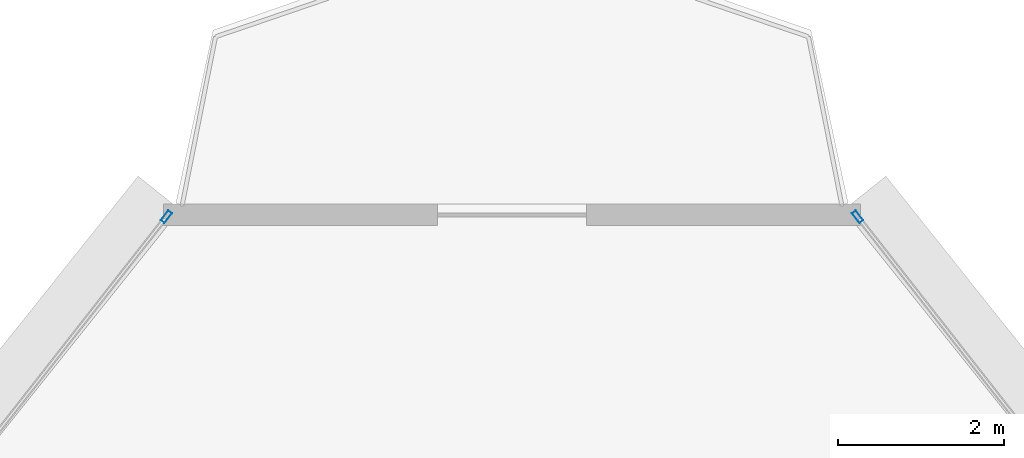
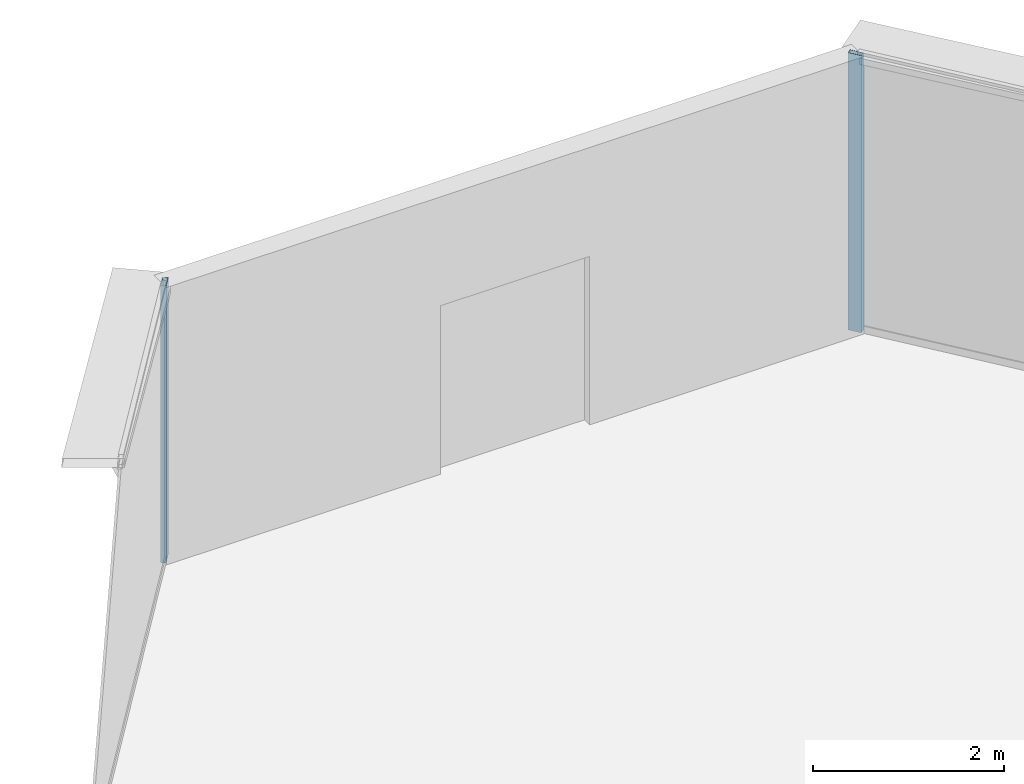
# One storey, part 26 of 38: 2 members, 2 elements without a shape of their own.
"""IFC4 building model written with IfcOpenShell, lengths in metres."""

from ifc_helpers import new_model, si_unit, direction, frame, origin, origin_2d, place, context, subcontext, project, spatial, hollow_rectangle, extrude, source, transform, mapped, material, layer, layer_set, material_profile, profile_set, type_object, element, aggregate, save


model = new_model("IFC4")

# Units and contexts
model_context = context("Model", 3, precision=1e-05, world=origin(), true_north=direction((0.0, 1.0)))
body_context = subcontext(model_context, "Body", "Model", "MODEL_VIEW")
ifc_project = project(units=[si_unit("LENGTHUNIT", "METRE"), si_unit("AREAUNIT", "SQUARE_METRE"), si_unit("VOLUMEUNIT", "CUBIC_METRE"), si_unit("PLANEANGLEUNIT", "RADIAN"), si_unit("MASSUNIT", "GRAM", prefix="KILO"), si_unit("THERMODYNAMICTEMPERATUREUNIT", "KELVIN"), si_unit("POWERUNIT", "WATT")], contexts=[model_context])

# Site, building, storey
site_placement = place(None, origin())
site = spatial("IfcSite", under=ifc_project, at=site_placement, CompositionType="ELEMENT")
building_placement = place(site_placement, origin())
building = spatial("IfcBuilding", under=site, at=building_placement, Name="Yunzhuo Pagoda Commons", CompositionType="ELEMENT")
storey_placement = place(building_placement, frame((0.0, 0.0, 203.760009765625)))
storey = spatial("IfcBuildingStorey", under=building, at=storey_placement, Name="L51", CompositionType="ELEMENT", Elevation=203.760009765625)

# Curtain wall, member
ifc_material = material(Name="Anodized aluminium 6063-T6", Category="aluminium")
ifc_layer = layer(ifc_material, 0.14990234375)
ifc_layer_set = layer_set([ifc_layer], Name="Anodized aluminium 6063-T6")
curtain_wall_type = type_object("IfcCurtainWallType", Name="CW-MID Mid-Zone Ribbon Curtain Wall", PredefinedType="NOTDEFINED", material=ifc_layer_set)
curtain_wall_1_placement = place(storey_placement, origin())
curtain_wall_1 = element("IfcCurtainWall", 1, at=curtain_wall_1_placement, inside=storey, type_object=curtain_wall_type, Name="L51 curtain wall CW-L51-F2B5", PredefinedType="NOTDEFINED")
ifc_material_profile = material_profile(ifc_material, hollow_rectangle(XDim=0.06005859375, YDim=0.14990234375, WallThickness=0.00390625, at=origin_2d()), Name="Anodized aluminium 6063-T6")
ifc_profile_set = profile_set([ifc_material_profile], Name="Anodized aluminium 6063-T6")
member_type = type_object("IfcMemberType", Name="CW-MID-M Mullion RHS 150x60x4", PredefinedType="MULLION", material=ifc_profile_set)
shared_shape = source(origin(), body_context, "Body", "SweptSolid", [
    extrude(hollow_rectangle(XDim=0.06005859375, YDim=0.14990234375, WallThickness=0.00390625, at=origin_2d()), origin(), (0.0, 0.0, 1.0), 3.5400390625),
])
member_1_placement = place(storey_placement, frame((52.17333984375, 82.728759765625, 0.0), z_axis=(0.0, 0.0, 1.0), x_axis=(-0.787150021946, -0.616761577071, 0.0)))
member_1 = element("IfcMember", 2, at=member_1_placement, type_object=member_type, Name="CW mullion 2", PredefinedType="MULLION", context=body_context, shape_type="MappedRepresentation", body=[
    mapped(shared_shape, transform((0.0, 0.0, 0.0), scale=1.0)),
])
aggregate(curtain_wall_1, [member_1])

curtain_wall_2_placement = place(storey_placement, origin())
curtain_wall_2 = element("IfcCurtainWall", 3, at=curtain_wall_2_placement, inside=storey, type_object=curtain_wall_type, Name="L51 curtain wall CW-L51-F3B1", PredefinedType="NOTDEFINED")
member_2_placement = place(storey_placement, frame((43.82666015625, 82.728759765625, 0.0), z_axis=(0.0, 0.0, 1.0), x_axis=(0.787150021946, -0.616761577071, 0.0)))
member_2 = element("IfcMember", 4, at=member_2_placement, type_object=member_type, Name="CW mullion 1", PredefinedType="MULLION", context=body_context, shape_type="MappedRepresentation", body=[
    mapped(shared_shape, transform((0.0, 0.0, 0.0), scale=1.0)),
])
aggregate(curtain_wall_2, [member_2])

save(model, "model.ifc")
